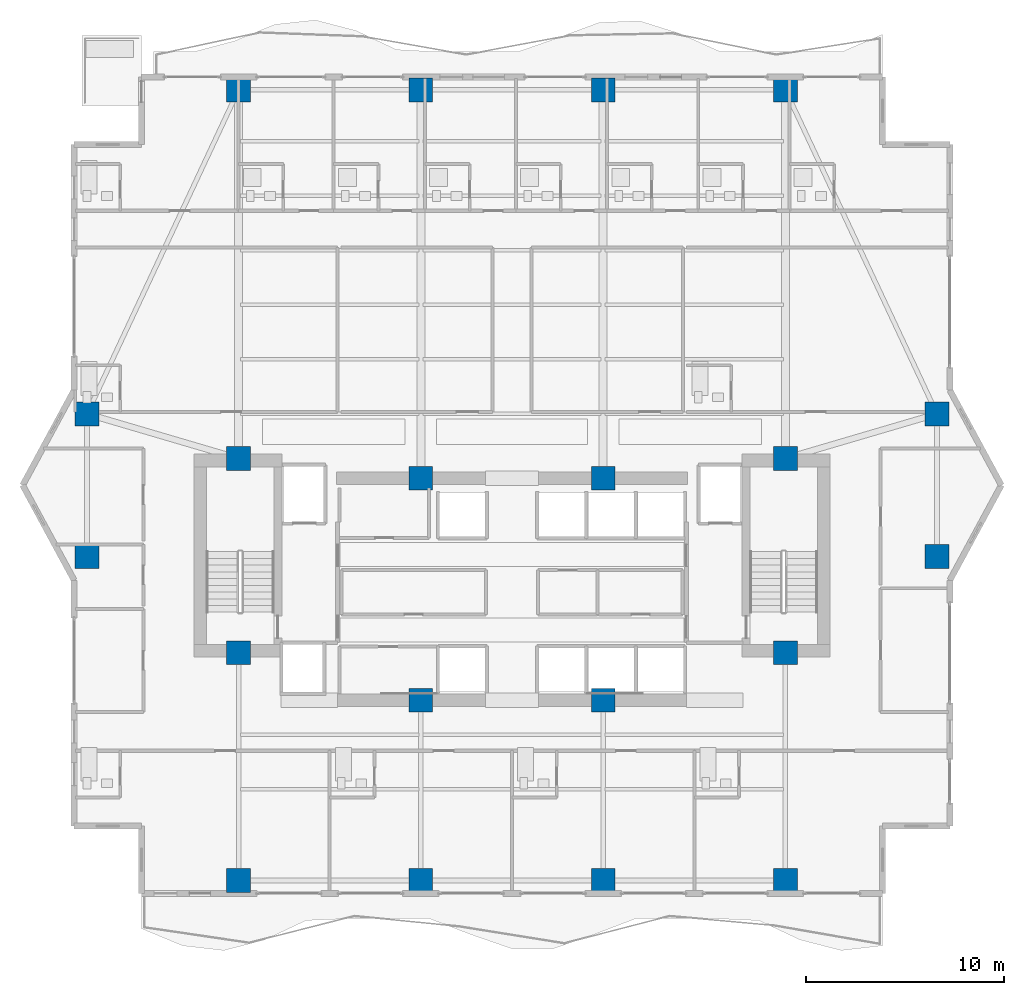
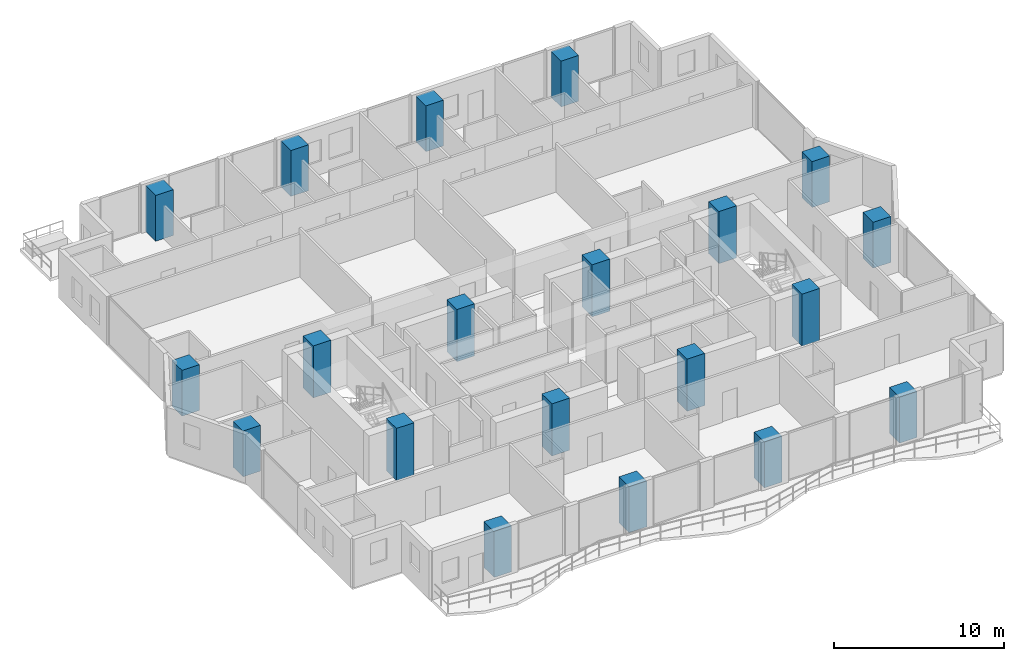
# One storey, part 1 of 33: 20 columns.
"""IFC4 building model written with IfcOpenShell, lengths in metres."""

from ifc_helpers import new_model, si_unit, direction, frame, origin, origin_2d, place, context, subcontext, project, spatial, rectangle, extrude, material, material_profile, profile_set, type_object, element, save


model = new_model("IFC4")

# Units and contexts
model_context = context("Model", 3, precision=1e-05, world=origin(), true_north=direction((0.0, 1.0)))
body_context = subcontext(model_context, "Body", "Model", "MODEL_VIEW")
ifc_project = project(units=[si_unit("LENGTHUNIT", "METRE"), si_unit("AREAUNIT", "SQUARE_METRE"), si_unit("VOLUMEUNIT", "CUBIC_METRE"), si_unit("PLANEANGLEUNIT", "RADIAN"), si_unit("MASSUNIT", "GRAM", prefix="KILO")], contexts=[model_context])

# Site, building, storey
site_placement = place(None, origin())
site = spatial("IfcSite", under=ifc_project, at=site_placement, CompositionType="ELEMENT")
building_placement = place(site_placement, origin())
building = spatial("IfcBuilding", under=site, at=building_placement, Name="Zuhayl Quay Hotel", CompositionType="ELEMENT")
storey_placement = place(building_placement, frame((0.0, 0.0, 229.89990234375)))
storey = spatial("IfcBuildingStorey", under=building, at=storey_placement, Name="L58", CompositionType="ELEMENT", Elevation=229.89990234375)

# Columns
ifc_material = material(Name="Concrete C60/75", Category="concrete")
ifc_material_profile_1 = material_profile(ifc_material, rectangle(XDim=1.199951171875, YDim=1.199951171875, at=origin_2d()), Name="RC1200X1200")
ifc_profile_set_1 = profile_set([ifc_material_profile_1], Name="Concrete C60/75")
column_type_1 = type_object("IfcColumnType", Name="CL_CC2_1200", PredefinedType="COLUMN", material=ifc_profile_set_1)
for number, where, z_axis, x_axis, name in (
    (1, (-13.800048828125, 14.35009765625, 0.0), (0.0, 0.0, 1.0), (1.0, 0.0, 0.0), "L58 Core Column CC_NW"),
    (2, (-4.60009765625, 13.35009765625, 0.0), (0.0, 0.0, 1.0), (1.0, 0.0, 0.0), "L58 Core Column CC_CNW"),
    (3, (4.60009765625, 13.35009765625, 0.0), (0.0, 0.0, 1.0), (1.0, 0.0, 0.0), "L58 Core Column CC_CNE"),
    (4, (13.800048828125, 14.35009765625, 0.0), (0.0, 0.0, 1.0), (1.0, 0.0, 0.0), "L58 Core Column CC_NE"),
    (5, (-13.800048828125, 4.550048828125, 0.0), (0.0, 0.0, 1.0), (1.0, 0.0, 0.0), "L58 Core Column CC_SW"),
    (6, (-4.60009765625, 2.14990234375, 0.0), (0.0, 0.0, 1.0), (1.0, 0.0, 0.0), "L58 Core Column CC_CSW"),
    (7, (4.60009765625, 2.14990234375, 0.0), (0.0, 0.0, 1.0), (1.0, 0.0, 0.0), "L58 Core Column CC_CSE"),
    (8, (13.800048828125, 4.550048828125, 0.0), (0.0, 0.0, 1.0), (1.0, 0.0, 0.0), "L58 Core Column CC_SE"),
):
    element("IfcColumn", number, at=place(storey_placement, frame(where, z_axis=z_axis, x_axis=x_axis)), inside=storey, type_object=column_type_1, Name=name, PredefinedType="COLUMN", context=body_context, shape_type="SweptSolid", body=[
        extrude(rectangle(XDim=1.199951171875, YDim=1.199951171875, at=origin_2d()), origin(), (0.0, 0.0, 1.0), 3.75),
    ])
ifc_material_profile_2 = material_profile(ifc_material, rectangle(XDim=1.199951171875, YDim=1.199951171875, at=origin_2d()), Name="RC1200X1200")
ifc_profile_set_2 = profile_set([ifc_material_profile_2], Name="Concrete C60/75")
column_type_2 = type_object("IfcColumnType", Name="CL_MC3_1200", PredefinedType="COLUMN", material=ifc_profile_set_2)
for number, where, z_axis, x_axis, name in (
    (9, (-13.800048828125, -6.949951171875, 0.0), (0.0, 0.0, 1.0), (1.0, 0.0, 0.0), "L58 Mega-Column MC_S1"),
    (10, (-4.60009765625, -6.949951171875, 0.0), (0.0, 0.0, 1.0), (1.0, 0.0, 0.0), "L58 Mega-Column MC_S2"),
    (11, (4.60009765625, -6.949951171875, 0.0), (0.0, 0.0, 1.0), (1.0, 0.0, 0.0), "L58 Mega-Column MC_S3"),
    (12, (13.800048828125, -6.949951171875, 0.0), (0.0, 0.0, 1.0), (1.0, 0.0, 0.0), "L58 Mega-Column MC_S4"),
    (13, (-13.800048828125, 32.949951171875, 0.0), (0.0, 0.0, 1.0), (1.0, 0.0, 0.0), "L58 Mega-Column MC_N1"),
    (14, (-4.60009765625, 32.949951171875, 0.0), (0.0, 0.0, 1.0), (1.0, 0.0, 0.0), "L58 Mega-Column MC_N2"),
    (15, (4.60009765625, 32.949951171875, 0.0), (0.0, 0.0, 1.0), (1.0, 0.0, 0.0), "L58 Mega-Column MC_N3"),
    (16, (13.800048828125, 32.949951171875, 0.0), (0.0, 0.0, 1.0), (1.0, 0.0, 0.0), "L58 Mega-Column MC_N4"),
    (17, (-21.449951171875, 9.39990234375, 0.0), (0.0, 0.0, 1.0), (1.0, 0.0, 0.0), "L58 Mega-Column MC_W1"),
    (18, (-21.449951171875, 16.60009765625, 0.0), (0.0, 0.0, 1.0), (1.0, 0.0, 0.0), "L58 Mega-Column MC_W2"),
    (19, (21.449951171875, 9.39990234375, 0.0), (0.0, 0.0, 1.0), (1.0, 0.0, 0.0), "L58 Mega-Column MC_E1"),
    (20, (21.449951171875, 16.60009765625, 0.0), (0.0, 0.0, 1.0), (1.0, 0.0, 0.0), "L58 Mega-Column MC_E2"),
):
    element("IfcColumn", number, at=place(storey_placement, frame(where, z_axis=z_axis, x_axis=x_axis)), inside=storey, type_object=column_type_2, Name=name, PredefinedType="COLUMN", context=body_context, shape_type="SweptSolid", body=[
        extrude(rectangle(XDim=1.199951171875, YDim=1.199951171875, at=origin_2d()), origin(), (0.0, 0.0, 1.0), 3.300048828125),
    ])

save(model, "model.ifc")
